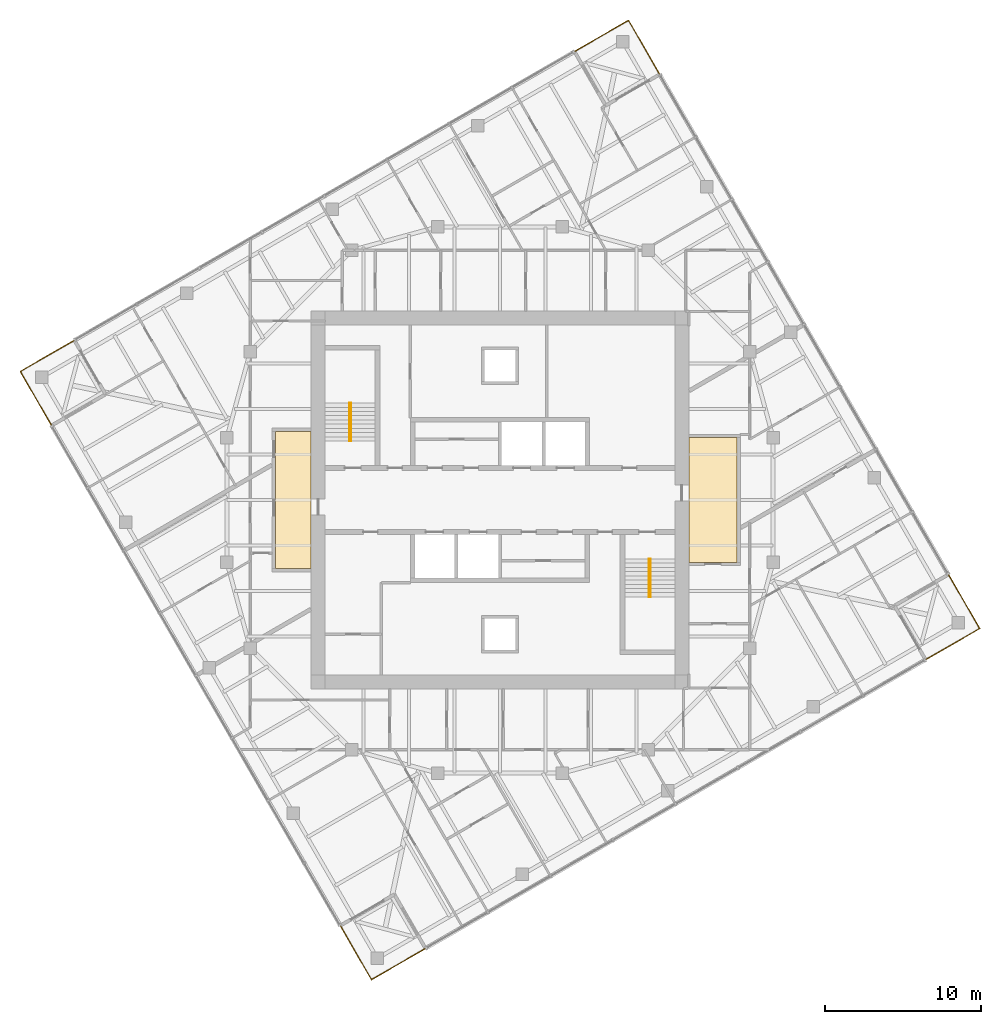
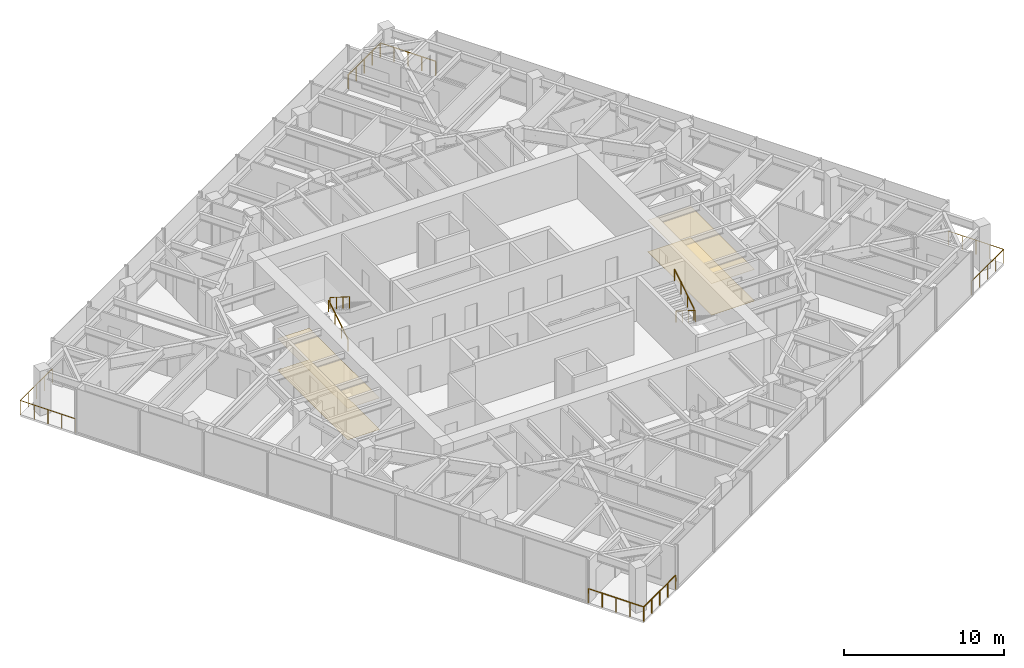
# One storey, part 12 of 12: 8 railings, 4 coverings, 2 elements without a shape of their own.
"""IFC4 building model written with IfcOpenShell, lengths in metres."""

import ifcopenshell
import ifcopenshell.guid

model = None  # the IFC model being written
_history = None  # IfcOwnerHistory: only IFC2X3 demands one
_inside = {}  # id of a spatial element -> (the spatial element, [elements in it])
_under = {}  # id of a project, library or spatial element -> (it, [spatial elements below it])
_declared = {}  # id of a project -> (the project, [libraries it declares])
_typed = {}  # id of a type object -> (the type object, [elements of that type])
_made_of = {}  # id of a material, layer set ... -> (it, [elements and type objects made of it])


def new_model(schema):
    """Start an empty IFC model of exactly this schema.

    Asked for "IFC4X3", IfcOpenShell would pick the latest addendum, in which some entities
    have other attributes; the version numbers below select the first issue.
    IFC2X3 requires an IfcOwnerHistory on every rooted entity: one is made here for all.
    """
    global model, _history
    if schema == "IFC4X3":
        model = ifcopenshell.file(schema_version=(4, 3, 0, 0))
    else:
        model = ifcopenshell.file(schema=schema)
    _inside.clear()
    _under.clear()
    _declared.clear()
    _typed.clear()
    _made_of.clear()
    _history = None
    if model.schema == "IFC2X3":
        org = make("IfcOrganization", Name="unknown")
        user = make(
            "IfcPersonAndOrganization",
            ThePerson=make("IfcPerson", FamilyName="unknown"),
            TheOrganization=org,
        )
        app = make(
            "IfcApplication",
            ApplicationDeveloper=org,
            Version="unknown",
            ApplicationFullName="unknown",
            ApplicationIdentifier="unknown",
        )
        _history = make(
            "IfcOwnerHistory",
            OwningUser=user,
            OwningApplication=app,
            ChangeAction="ADDED",
            CreationDate=0,
        )
    return model


def make(cls, **values):
    """One entity of the class cls with the attributes given. An attribute that is None is left unset."""
    return model.create_entity(
        cls, **{name: value for name, value in values.items() if value is not None}
    )


def rooted(cls, **values):
    """An entity with a GlobalId (a new one), such as an element, a storey or a relation."""
    return make(cls, GlobalId=ifcopenshell.guid.new(), OwnerHistory=_history, **values)


def si_unit(unit_type, name, prefix=None):
    """IfcSIUnit, for example si_unit("LENGTHUNIT", "METRE", prefix="MILLI")."""
    return make("IfcSIUnit", UnitType=unit_type, Prefix=prefix, Name=name)


def assignment(units):
    """IfcUnitAssignment: the units of a project."""
    return None if units is None else make("IfcUnitAssignment", Units=units)


def point(xyz):
    """IfcCartesianPoint."""
    return None if xyz is None else make("IfcCartesianPoint", Coordinates=xyz)


def direction(xyz):
    """IfcDirection."""
    return None if xyz is None else make("IfcDirection", DirectionRatios=xyz)


def frame(location, z_axis=None, x_axis=None):
    """IfcAxis2Placement3D, a coordinate frame: its origin and axes. An axis left out is left unset."""
    return make(
        "IfcAxis2Placement3D",
        Location=point(location),
        Axis=direction(z_axis),
        RefDirection=direction(x_axis),
    )


def frame_2d(location, x_axis=None):
    """IfcAxis2Placement2D, a coordinate frame in the plane: its origin and x axis."""
    return make(
        "IfcAxis2Placement2D", Location=point(location), RefDirection=direction(x_axis)
    )


def origin():
    """The frame at (0, 0, 0) with its axes left unset."""
    return frame((0.0, 0.0, 0.0))


def origin_2d():
    """The frame at (0, 0) in the plane with its x axis left unset."""
    return frame_2d((0.0, 0.0))


def place(relative_to, where):
    """IfcLocalPlacement: puts the frame where relative to a parent placement (None: the world)."""
    return make(
        "IfcLocalPlacement", PlacementRelTo=relative_to, RelativePlacement=where
    )


def context(
    kind, dimensions, precision=None, world=None, true_north=None, identifier=None
):
    """IfcGeometricRepresentationContext, for example the 3D "Model" context."""
    return make(
        "IfcGeometricRepresentationContext",
        ContextIdentifier=identifier,
        ContextType=kind,
        CoordinateSpaceDimension=dimensions,
        Precision=precision,
        WorldCoordinateSystem=world,
        TrueNorth=true_north,
    )


def subcontext(parent, identifier, kind, view, scale=None):
    """IfcGeometricRepresentationSubContext, for example "Body" below "Model"."""
    return make(
        "IfcGeometricRepresentationSubContext",
        ContextIdentifier=identifier,
        ContextType=kind,
        ParentContext=parent,
        TargetScale=scale,
        TargetView=view,
    )


def project(units=None, contexts=None):
    """IfcProject with its units and contexts."""
    return rooted(
        "IfcProject",
        Name="project",
        RepresentationContexts=contexts,
        UnitsInContext=assignment(units),
    )


def spatial(cls, under=None, at=None, **own):
    """A site, building, storey or space (cls), placed at a placement, below another one or the project."""
    s = rooted(cls, ObjectPlacement=at, **own)
    if under is not None:
        _under.setdefault(under.id(), (under, []))[1].append(s)
    return s


def polyline(points):
    """IfcPolyline through the points."""
    return make("IfcPolyline", Points=[point(p) for p in points])


def profile(cls, at=None, kind="AREA", **sizes):
    """A parametric profile (cls). Its sizes go by their IFC names, for example OverallWidth=200.0."""
    return make(cls, ProfileType=kind, Position=at, **sizes)


def circle(**sizes):
    """IfcCircleProfileDef."""
    return profile("IfcCircleProfileDef", **sizes)


def outline(outer, holes=None, kind="AREA"):
    """IfcArbitraryClosedProfileDef: a profile drawn as a closed curve; with holes, ...WithVoids."""
    if holes is None:
        return make("IfcArbitraryClosedProfileDef", ProfileType=kind, OuterCurve=outer)
    return make(
        "IfcArbitraryProfileDefWithVoids",
        ProfileType=kind,
        OuterCurve=outer,
        InnerCurves=holes,
    )


def extrude(swept, where, along, depth):
    """IfcExtrudedAreaSolid: the profile swept, set in the frame where, extruded along a direction by depth."""
    return make(
        "IfcExtrudedAreaSolid",
        SweptArea=swept,
        Position=where,
        ExtrudedDirection=direction(along),
        Depth=depth,
    )


def shape(context_of_items, identifier, shape_type, items):
    """IfcShapeRepresentation: the items that make up one representation, for example the "Body"."""
    return make(
        "IfcShapeRepresentation",
        ContextOfItems=context_of_items,
        RepresentationIdentifier=identifier,
        RepresentationType=shape_type,
        Items=items,
    )


def material(Name=None, Category=None):
    """IfcMaterial."""
    return make("IfcMaterial", Name=Name, Category=Category)


def layer(
    of_material, thickness, ventilated=None, Name=None, Category=None, Priority=None
):
    """IfcMaterialLayer: one layer of a wall or slab, of a material (None: an air gap)."""
    return make(
        "IfcMaterialLayer",
        Material=of_material,
        LayerThickness=thickness,
        IsVentilated=ventilated,
        Name=Name,
        Category=Category,
        Priority=Priority,
    )


def layer_set(layers, Name=None):
    """IfcMaterialLayerSet."""
    return make("IfcMaterialLayerSet", MaterialLayers=layers, LayerSetName=Name)


def made_of(thing, what):
    """Note that an element or type object is made of a material, layer set ...; save() writes the relation."""
    if what is not None:
        _made_of.setdefault(what.id(), (what, []))[1].append(thing)
    return thing


def type_object(cls, material=None, **own):
    """A type object (cls), such as IfcWallType, which elements share."""
    return made_of(rooted(cls, **own), material)


def element(
    cls,
    number,
    at=None,
    inside=None,
    cuts=None,
    type_object=None,
    material=None,
    context=None,
    identifier="Body",
    shape_type=None,
    held_by="IfcProductDefinitionShape",
    body=None,
    shapes=None,
    **own,
):
    """One element of the class cls, such as IfcWall. Its Tag is "e" and its number.

    at: its placement. inside: the storey or other place that contains it. cuts: it is an
    opening in that element (IfcRelVoidsElement). A single representation is given by context,
    identifier, shape_type and body (its items); several are given by shapes. held_by: the class
    of the entity that holds the representations. save() writes the other relations.
    """
    e = rooted(cls, Tag="e%d" % number, ObjectPlacement=at, **own)
    if body is not None:
        shapes = [shape(context, identifier, shape_type, body)]
    if shapes is not None:
        e.Representation = make(held_by, Representations=shapes)
    if inside is not None:
        _inside.setdefault(inside.id(), (inside, []))[1].append(e)
    if cuts is not None:
        rooted(
            "IfcRelVoidsElement", RelatingBuildingElement=cuts, RelatedOpeningElement=e
        )
    if type_object is not None:
        _typed.setdefault(type_object.id(), (type_object, []))[1].append(e)
    return made_of(e, material)


def aggregate(whole, parts):
    """IfcRelAggregates: a whole, such as a stair, and the parts it consists of."""
    return rooted("IfcRelAggregates", RelatingObject=whole, RelatedObjects=parts)


def save(model, path):
    """Write the relations noted so far, then the file.

    IfcRelAggregates (storeys below a building ...), IfcRelContainedInSpatialStructure (elements
    in a storey), IfcRelDefinesByType, IfcRelAssociatesMaterial and IfcRelDeclares: one each for
    every whole, place, type object, material and project.
    """
    for whole, parts in _under.values():
        aggregate(whole, parts)
    for where, things in _inside.values():
        rooted(
            "IfcRelContainedInSpatialStructure",
            RelatedElements=things,
            RelatingStructure=where,
        )
    for kind, things in _typed.values():
        rooted("IfcRelDefinesByType", RelatedObjects=things, RelatingType=kind)
    for what, things in _made_of.values():
        rooted("IfcRelAssociatesMaterial", RelatedObjects=things, RelatingMaterial=what)
    for by, libraries in _declared.values():
        rooted("IfcRelDeclares", RelatingContext=by, RelatedDefinitions=libraries)
    model.write(path)


model = new_model("IFC4")

# Units and contexts
model_context = context("Model", 3, precision=1e-05, world=origin(), true_north=direction((0.0, 1.0)))
body_context = subcontext(model_context, "Body", "Model", "MODEL_VIEW")
ifc_project = project(units=[si_unit("LENGTHUNIT", "METRE"), si_unit("AREAUNIT", "SQUARE_METRE"), si_unit("VOLUMEUNIT", "CUBIC_METRE"), si_unit("PLANEANGLEUNIT", "RADIAN"), si_unit("MASSUNIT", "GRAM", prefix="KILO")], contexts=[model_context])

# Site, building, storey
site_placement = place(None, origin())
site = spatial("IfcSite", under=ifc_project, at=site_placement, CompositionType="ELEMENT")
building_placement = place(site_placement, origin())
building = spatial("IfcBuilding", under=site, at=building_placement, Name="Torsade Residences", CompositionType="ELEMENT")
storey_placement = place(building_placement, frame((0.0, 0.0, 218.39990234375)))
storey = spatial("IfcBuildingStorey", under=building, at=storey_placement, Name="L60", CompositionType="ELEMENT", Elevation=218.39990234375)

# Coverings
ifc_material_1 = material(Name="Nylon carpet tile on underlay", Category="textile")
ifc_layer_1 = layer(ifc_material_1, 0.010009765625)
ifc_layer_set_1 = layer_set([ifc_layer_1], Name="Nylon carpet tile on underlay")
covering_type_1 = type_object("IfcCoveringType", Name="CORRIDOR CARPET TILE 10", PredefinedType="FLOORING", material=ifc_layer_set_1)
covering_1_placement = place(storey_placement, origin())
element("IfcCovering", 1, at=covering_1_placement, inside=storey, type_object=covering_type_1, Name="Corridor carpet L60", PredefinedType="FLOORING", context=body_context, shape_type="SweptSolid", body=[
    extrude(outline(polyline([(55.199951171875, 26.0), (55.199951171875, 34.0), (52.10009765625, 34.0), (52.10009765625, 26.0), (55.199951171875, 26.0)])), origin(), (0.0, 0.0, 1.0), 0.010009765625),
])
covering_2_placement = place(storey_placement, origin())
element("IfcCovering", 2, at=covering_2_placement, inside=storey, type_object=covering_type_1, Name="Corridor carpet west L60", PredefinedType="FLOORING", context=body_context, shape_type="SweptSolid", body=[
    extrude(outline(polyline([(27.89990234375, 25.60009765625), (27.89990234375, 34.39990234375), (25.60009765625, 34.39990234375), (25.60009765625, 25.60009765625), (27.89990234375, 25.60009765625)])), origin(), (0.0, 0.0, 1.0), 0.010009765625),
])
ifc_material_2 = material(Name="Plasterboard on suspended steel grid", Category="steel")
ifc_layer_2 = layer(ifc_material_2, 0.012939453125)
ifc_layer_set_2 = layer_set([ifc_layer_2], Name="Plasterboard on suspended steel grid")
covering_type_2 = type_object("IfcCoveringType", Name="CORRIDOR SUSPENDED CEILING 13", PredefinedType="CEILING", material=ifc_layer_set_2)
covering_3_placement = place(storey_placement, frame((0.0, 0.0, 2.400146484375)))
element("IfcCovering", 3, at=covering_3_placement, inside=storey, type_object=covering_type_2, Name="Corridor ceiling L60", PredefinedType="CEILING", context=body_context, shape_type="SweptSolid", body=[
    extrude(outline(polyline([(55.199951171875, 26.0), (55.199951171875, 34.0), (52.10009765625, 34.0), (52.10009765625, 26.0), (55.199951171875, 26.0)])), origin(), (0.0, 0.0, 1.0), 0.012939453125),
])
covering_4_placement = place(storey_placement, frame((0.0, 0.0, 2.400146484375)))
element("IfcCovering", 4, at=covering_4_placement, inside=storey, type_object=covering_type_2, Name="Corridor ceiling west L60", PredefinedType="CEILING", context=body_context, shape_type="SweptSolid", body=[
    extrude(outline(polyline([(27.89990234375, 25.60009765625), (27.89990234375, 34.39990234375), (25.60009765625, 34.39990234375), (25.60009765625, 25.60009765625), (27.89990234375, 25.60009765625)])), origin(), (0.0, 0.0, 1.0), 0.012939453125),
])

# Stair, railings
ifc_material_3 = material(Name="Precast concrete 40 MPa", Category="concrete")
stair_type = type_object("IfcStairType", Name="HALF-TURN FIRE STAIR 1500x3400", PredefinedType="HALF_TURN_STAIR", material=ifc_material_3)
stair_1_placement = place(storey_placement, origin())
stair_1 = element("IfcStair", 5, at=stair_1_placement, inside=storey, type_object=stair_type, Name="Stair ST1 L60", PredefinedType="HALF_TURN_STAIR")
ifc_material_4 = material(Name="Steel handrail", Category="steel")
railing_type_1 = type_object("IfcRailingType", Name="STAIR HANDRAIL 900", PredefinedType="HANDRAIL", material=ifc_material_4)
railing_1_placement = place(storey_placement, frame((30.35009765625, 33.780029296875, 0.170166015625)))
railing_1 = element("IfcRailing", 6, at=railing_1_placement, type_object=railing_type_1, Name="Handrail ST1 flight 1 L60", PredefinedType="HANDRAIL", context=body_context, shape_type="SweptSolid", body=[
    extrude(circle(Radius=0.02392578125, at=origin_2d()), frame((0.0, 0.0, 0.8759765625), z_axis=(0.0, 0.846221481393, 0.532831309544), x_axis=(-1.0, 0.0, 0.0)), (0.0, 0.0, 1.0), 2.87158203125),
    extrude(circle(Radius=0.02099609375, at=origin_2d()), origin(), (0.0, 0.0, 1.0), 0.851806640625),
    extrude(circle(Radius=0.02099609375, at=origin_2d()), frame((0.0, 0.81005859375, 0.510009765625)), (0.0, 0.0, 1.0), 0.851806640625),
    extrude(circle(Radius=0.02099609375, at=origin_2d()), frame((0.0, 1.619873046875, 1.02001953125)), (0.0, 0.0, 1.0), 0.851806640625),
    extrude(circle(Radius=0.02099609375, at=origin_2d()), frame((0.0, 2.429931640625, 1.530029296875)), (0.0, 0.0, 1.0), 0.851806640625),
])
railing_2_placement = place(storey_placement, frame((30.449951171875, 36.2099609375, 1.8701171875)))
railing_2 = element("IfcRailing", 7, at=railing_2_placement, type_object=railing_type_1, Name="Handrail ST1 flight 2 L60", PredefinedType="HANDRAIL", context=body_context, shape_type="SweptSolid", body=[
    extrude(circle(Radius=0.02392578125, at=origin_2d()), frame((0.0, 0.0, 0.8759765625), z_axis=(0.0, -0.846221481393, 0.532831309544), x_axis=(1.0, 0.0, 0.0)), (0.0, 0.0, 1.0), 2.87158203125),
    extrude(circle(Radius=0.02099609375, at=origin_2d()), origin(), (0.0, 0.0, 1.0), 0.851806640625),
    extrude(circle(Radius=0.02099609375, at=origin_2d()), frame((0.0, -0.81005859375, 0.510009765625)), (0.0, 0.0, 1.0), 0.851806640625),
    extrude(circle(Radius=0.02099609375, at=origin_2d()), frame((0.0, -1.619873046875, 1.02001953125)), (0.0, 0.0, 1.0), 0.851806640625),
    extrude(circle(Radius=0.02099609375, at=origin_2d()), frame((0.0, -2.429931640625, 1.530029296875)), (0.0, 0.0, 1.0), 0.851806640625),
])
aggregate(stair_1, [railing_1, railing_2])

stair_2_placement = place(storey_placement, origin())
stair_2 = element("IfcStair", 8, at=stair_2_placement, inside=storey, type_object=stair_type, Name="Stair ST2 L60", PredefinedType="HALF_TURN_STAIR")
railing_3_placement = place(storey_placement, frame((49.64990234375, 26.219970703125, 0.170166015625)))
railing_3 = element("IfcRailing", 9, at=railing_3_placement, type_object=railing_type_1, Name="Handrail ST2 flight 1 L60", PredefinedType="HANDRAIL", context=body_context, shape_type="SweptSolid", body=[
    extrude(circle(Radius=0.02392578125, at=origin_2d()), frame((0.0, 0.0, 0.8759765625), z_axis=(0.0, -0.846221481393, 0.532831309544), x_axis=(1.0, 0.0, 0.0)), (0.0, 0.0, 1.0), 2.87158203125),
    extrude(circle(Radius=0.02099609375, at=origin_2d()), origin(), (0.0, 0.0, 1.0), 0.851806640625),
    extrude(circle(Radius=0.02099609375, at=origin_2d()), frame((0.0, -0.81005859375, 0.510009765625)), (0.0, 0.0, 1.0), 0.851806640625),
    extrude(circle(Radius=0.02099609375, at=origin_2d()), frame((0.0, -1.619873046875, 1.02001953125)), (0.0, 0.0, 1.0), 0.851806640625),
    extrude(circle(Radius=0.02099609375, at=origin_2d()), frame((0.0, -2.429931640625, 1.530029296875)), (0.0, 0.0, 1.0), 0.851806640625),
])
railing_4_placement = place(storey_placement, frame((49.550048828125, 23.7900390625, 1.8701171875)))
railing_4 = element("IfcRailing", 10, at=railing_4_placement, type_object=railing_type_1, Name="Handrail ST2 flight 2 L60", PredefinedType="HANDRAIL", context=body_context, shape_type="SweptSolid", body=[
    extrude(circle(Radius=0.02392578125, at=origin_2d()), frame((0.0, 0.0, 0.8759765625), z_axis=(0.0, 0.846221481393, 0.532831309544), x_axis=(-1.0, 0.0, 0.0)), (0.0, 0.0, 1.0), 2.87158203125),
    extrude(circle(Radius=0.02099609375, at=origin_2d()), origin(), (0.0, 0.0, 1.0), 0.851806640625),
    extrude(circle(Radius=0.02099609375, at=origin_2d()), frame((0.0, 0.81005859375, 0.510009765625)), (0.0, 0.0, 1.0), 0.851806640625),
    extrude(circle(Radius=0.02099609375, at=origin_2d()), frame((0.0, 1.619873046875, 1.02001953125)), (0.0, 0.0, 1.0), 0.851806640625),
    extrude(circle(Radius=0.02099609375, at=origin_2d()), frame((0.0, 2.429931640625, 1.530029296875)), (0.0, 0.0, 1.0), 0.851806640625),
])
aggregate(stair_2, [railing_3, railing_4])

# Railings
ifc_material_5 = material(Name="Laminated glass balustrade", Category="glass")
railing_type_2 = type_object("IfcRailingType", Name="TERRACE GLASS BALUSTRADE 1100", PredefinedType="BALUSTRADE", material=ifc_material_5)
railing_5_placement = place(storey_placement, frame((67.271484375, 19.764404296875, 0.0)))
element("IfcRailing", 11, at=railing_5_placement, inside=storey, type_object=railing_type_2, Name="Terrace balustrade SE L60", PredefinedType="BALUSTRADE", context=body_context, shape_type="SweptSolid", body=[
    extrude(circle(Radius=0.02392578125, at=origin_2d()), frame((0.0, 0.0, 1.076171875), z_axis=(0.866026010844, 0.49999894854, 0.0), x_axis=(-0.49999894854, 0.866026010844, 0.0)), (0.0, 0.0, 1.0), 4.0),
    extrude(circle(Radius=0.02392578125, at=origin_2d()), frame((3.464111328125, 2.0, 1.076171875), z_axis=(-0.49999894854, 0.866026010844, 0.0), x_axis=(-0.866026010844, -0.49999894854, 0.0)), (0.0, 0.0, 1.0), 4.0),
    extrude(circle(Radius=0.02099609375, at=origin_2d()), origin(), (0.0, 0.0, 1.0), 1.052001953125),
    extrude(circle(Radius=0.02099609375, at=origin_2d()), frame((0.865966796875, 0.5, 0.0)), (0.0, 0.0, 1.0), 1.052001953125),
    extrude(circle(Radius=0.02099609375, at=origin_2d()), frame((1.73193359375, 1.0, 0.0)), (0.0, 0.0, 1.0), 1.052001953125),
    extrude(circle(Radius=0.02099609375, at=origin_2d()), frame((2.59814453125, 1.5, 0.0)), (0.0, 0.0, 1.0), 1.052001953125),
    extrude(circle(Radius=0.02099609375, at=origin_2d()), frame((3.464111328125, 2.0, 0.0)), (0.0, 0.0, 1.0), 1.052001953125),
    extrude(circle(Radius=0.02099609375, at=origin_2d()), frame((2.964111328125, 2.865966796875, 0.0)), (0.0, 0.0, 1.0), 1.052001953125),
    extrude(circle(Radius=0.02099609375, at=origin_2d()), frame((2.464111328125, 3.73193359375, 0.0)), (0.0, 0.0, 1.0), 1.052001953125),
    extrude(circle(Radius=0.02099609375, at=origin_2d()), frame((1.964111328125, 4.59814453125, 0.0)), (0.0, 0.0, 1.0), 1.052001953125),
    extrude(circle(Radius=0.02099609375, at=origin_2d()), frame((1.464111328125, 5.464111328125, 0.0)), (0.0, 0.0, 1.0), 1.052001953125),
])
railing_6_placement = place(storey_placement, frame((50.235595703125, 57.271484375, 0.0)))
element("IfcRailing", 12, at=railing_6_placement, inside=storey, type_object=railing_type_2, Name="Terrace balustrade NE L60", PredefinedType="BALUSTRADE", context=body_context, shape_type="SweptSolid", body=[
    extrude(circle(Radius=0.02392578125, at=origin_2d()), frame((0.0, 0.0, 1.076171875), z_axis=(-0.49999894854, 0.866026010844, 0.0), x_axis=(-0.866026010844, -0.49999894854, 0.0)), (0.0, 0.0, 1.0), 4.0),
    extrude(circle(Radius=0.02392578125, at=origin_2d()), frame((-2.0, 3.464111328125, 1.076171875), z_axis=(-0.866026010844, -0.49999894854, 0.0), x_axis=(0.49999894854, -0.866026010844, 0.0)), (0.0, 0.0, 1.0), 4.0),
    extrude(circle(Radius=0.02099609375, at=origin_2d()), origin(), (0.0, 0.0, 1.0), 1.052001953125),
    extrude(circle(Radius=0.02099609375, at=origin_2d()), frame((-0.5, 0.865966796875, 0.0)), (0.0, 0.0, 1.0), 1.052001953125),
    extrude(circle(Radius=0.02099609375, at=origin_2d()), frame((-1.0, 1.73193359375, 0.0)), (0.0, 0.0, 1.0), 1.052001953125),
    extrude(circle(Radius=0.02099609375, at=origin_2d()), frame((-1.5, 2.59814453125, 0.0)), (0.0, 0.0, 1.0), 1.052001953125),
    extrude(circle(Radius=0.02099609375, at=origin_2d()), frame((-2.0, 3.464111328125, 0.0)), (0.0, 0.0, 1.0), 1.052001953125),
    extrude(circle(Radius=0.02099609375, at=origin_2d()), frame((-2.865966796875, 2.964111328125, 0.0)), (0.0, 0.0, 1.0), 1.052001953125),
    extrude(circle(Radius=0.02099609375, at=origin_2d()), frame((-3.73193359375, 2.464111328125, 0.0)), (0.0, 0.0, 1.0), 1.052001953125),
    extrude(circle(Radius=0.02099609375, at=origin_2d()), frame((-4.59814453125, 1.964111328125, 0.0)), (0.0, 0.0, 1.0), 1.052001953125),
    extrude(circle(Radius=0.02099609375, at=origin_2d()), frame((-5.464111328125, 1.464111328125, 0.0)), (0.0, 0.0, 1.0), 1.052001953125),
])
railing_7_placement = place(storey_placement, frame((12.728515625, 40.235595703125, 0.0)))
element("IfcRailing", 13, at=railing_7_placement, inside=storey, type_object=railing_type_2, Name="Terrace balustrade NW L60", PredefinedType="BALUSTRADE", context=body_context, shape_type="SweptSolid", body=[
    extrude(circle(Radius=0.02392578125, at=origin_2d()), frame((0.0, 0.0, 1.076171875), z_axis=(-0.866026010844, -0.49999894854, 0.0), x_axis=(0.49999894854, -0.866026010844, 0.0)), (0.0, 0.0, 1.0), 4.0),
    extrude(circle(Radius=0.02392578125, at=origin_2d()), frame((-3.464111328125, -2.0, 1.076171875), z_axis=(0.49999894854, -0.866026010844, 0.0), x_axis=(0.866026010844, 0.49999894854, 0.0)), (0.0, 0.0, 1.0), 4.0),
    extrude(circle(Radius=0.02099609375, at=origin_2d()), origin(), (0.0, 0.0, 1.0), 1.052001953125),
    extrude(circle(Radius=0.02099609375, at=origin_2d()), frame((-0.865966796875, -0.5, 0.0)), (0.0, 0.0, 1.0), 1.052001953125),
    extrude(circle(Radius=0.02099609375, at=origin_2d()), frame((-1.73193359375, -1.0, 0.0)), (0.0, 0.0, 1.0), 1.052001953125),
    extrude(circle(Radius=0.02099609375, at=origin_2d()), frame((-2.59814453125, -1.5, 0.0)), (0.0, 0.0, 1.0), 1.052001953125),
    extrude(circle(Radius=0.02099609375, at=origin_2d()), frame((-3.464111328125, -2.0, 0.0)), (0.0, 0.0, 1.0), 1.052001953125),
    extrude(circle(Radius=0.02099609375, at=origin_2d()), frame((-2.964111328125, -2.865966796875, 0.0)), (0.0, 0.0, 1.0), 1.052001953125),
    extrude(circle(Radius=0.02099609375, at=origin_2d()), frame((-2.464111328125, -3.73193359375, 0.0)), (0.0, 0.0, 1.0), 1.052001953125),
    extrude(circle(Radius=0.02099609375, at=origin_2d()), frame((-1.964111328125, -4.59814453125, 0.0)), (0.0, 0.0, 1.0), 1.052001953125),
    extrude(circle(Radius=0.02099609375, at=origin_2d()), frame((-1.464111328125, -5.464111328125, 0.0)), (0.0, 0.0, 1.0), 1.052001953125),
])
railing_8_placement = place(storey_placement, frame((29.764404296875, 2.728515625, 0.0)))
element("IfcRailing", 14, at=railing_8_placement, inside=storey, type_object=railing_type_2, Name="Terrace balustrade SW L60", PredefinedType="BALUSTRADE", context=body_context, shape_type="SweptSolid", body=[
    extrude(circle(Radius=0.02392578125, at=origin_2d()), frame((0.0, 0.0, 1.076171875), z_axis=(0.49999894854, -0.866026010844, 0.0), x_axis=(0.866026010844, 0.49999894854, 0.0)), (0.0, 0.0, 1.0), 4.0),
    extrude(circle(Radius=0.02392578125, at=origin_2d()), frame((2.0, -3.464111328125, 1.076171875), z_axis=(0.866026010844, 0.49999894854, 0.0), x_axis=(-0.49999894854, 0.866026010844, 0.0)), (0.0, 0.0, 1.0), 4.0),
    extrude(circle(Radius=0.02099609375, at=origin_2d()), origin(), (0.0, 0.0, 1.0), 1.052001953125),
    extrude(circle(Radius=0.02099609375, at=origin_2d()), frame((0.5, -0.865966796875, 0.0)), (0.0, 0.0, 1.0), 1.052001953125),
    extrude(circle(Radius=0.02099609375, at=origin_2d()), frame((1.0, -1.73193359375, 0.0)), (0.0, 0.0, 1.0), 1.052001953125),
    extrude(circle(Radius=0.02099609375, at=origin_2d()), frame((1.5, -2.59814453125, 0.0)), (0.0, 0.0, 1.0), 1.052001953125),
    extrude(circle(Radius=0.02099609375, at=origin_2d()), frame((2.0, -3.464111328125, 0.0)), (0.0, 0.0, 1.0), 1.052001953125),
    extrude(circle(Radius=0.02099609375, at=origin_2d()), frame((2.865966796875, -2.964111328125, 0.0)), (0.0, 0.0, 1.0), 1.052001953125),
    extrude(circle(Radius=0.02099609375, at=origin_2d()), frame((3.73193359375, -2.464111328125, 0.0)), (0.0, 0.0, 1.0), 1.052001953125),
    extrude(circle(Radius=0.02099609375, at=origin_2d()), frame((4.59814453125, -1.964111328125, 0.0)), (0.0, 0.0, 1.0), 1.052001953125),
    extrude(circle(Radius=0.02099609375, at=origin_2d()), frame((5.464111328125, -1.464111328125, 0.0)), (0.0, 0.0, 1.0), 1.052001953125),
])

save(model, "model.ifc")
